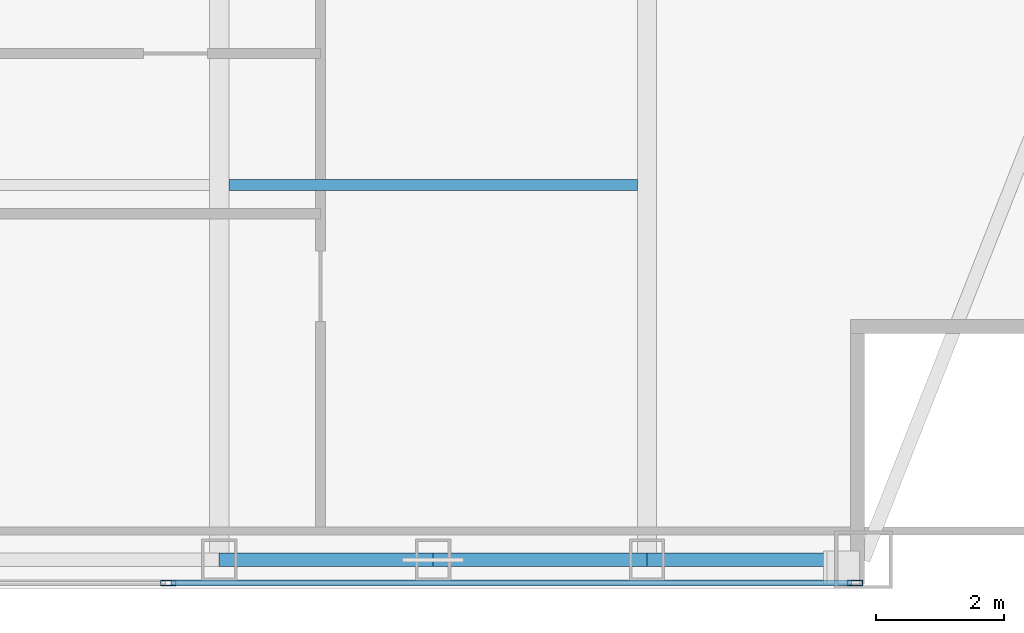
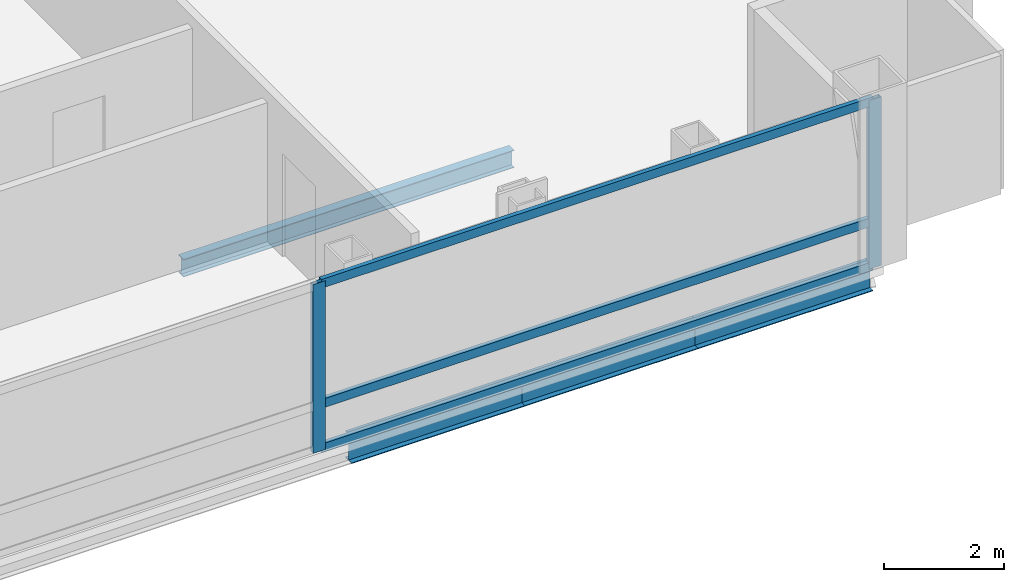
# One storey, part 13 of 27: 5 members, 4 beams, 1 element without a shape of its own.
"""IFC4 building model written with IfcOpenShell, lengths in metres."""

from ifc_helpers import new_model, si_unit, direction, frame, origin, origin_2d, place, context, subcontext, project, spatial, hollow_rectangle, i_section, extrude, material, material_profile, profile_set, type_object, element, aggregate, save


model = new_model("IFC4")

# Units and contexts
model_context = context("Model", 3, precision=1e-05, world=origin(), true_north=direction((0.0, 1.0)))
body_context = subcontext(model_context, "Body", "Model", "MODEL_VIEW")
ifc_project = project(units=[si_unit("LENGTHUNIT", "METRE"), si_unit("AREAUNIT", "SQUARE_METRE"), si_unit("VOLUMEUNIT", "CUBIC_METRE"), si_unit("PLANEANGLEUNIT", "RADIAN"), si_unit("MASSUNIT", "GRAM", prefix="KILO")], contexts=[model_context])

# Site, building, storey
site_placement = place(None, origin())
site = spatial("IfcSite", under=ifc_project, at=site_placement, CompositionType="ELEMENT")
building_placement = place(site_placement, origin())
building = spatial("IfcBuilding", under=site, at=building_placement, Name="Khoronbel Lancet Exchange", CompositionType="ELEMENT")
storey_placement = place(building_placement, frame((0.0, 0.0, 343.39990234375)))
storey = spatial("IfcBuildingStorey", under=building, at=storey_placement, Name="L89", CompositionType="ELEMENT", Elevation=343.39990234375)

# Beams
ifc_material_1 = material(Name="Steel S355", Category="steel")
ifc_material_profile_1 = material_profile(ifc_material_1, i_section(OverallWidth=0.169921875, OverallDepth=0.360107421875, WebThickness=0.008056640625, FlangeThickness=0.0126953125, at=origin_2d()), Name="IPE 360")
ifc_profile_set_1 = profile_set([ifc_material_profile_1], Name="Steel S355")
beam_type_1 = type_object("IfcBeamType", Name="BM-BJ6", PredefinedType="JOIST", material=ifc_profile_set_1)
beam_1_placement = place(storey_placement, frame((48.14990234375, 16.0, -0.33984375), z_axis=(1.0, 0.0, 0.0), x_axis=(0.0, 1.0, 0.0)))
element("IfcBeam", 1, at=beam_1_placement, inside=storey, type_object=beam_type_1, Name="Level L89 secondary composite joist J03", PredefinedType="JOIST", context=body_context, shape_type="SweptSolid", body=[
    extrude(i_section(OverallWidth=0.169921875, OverallDepth=0.360107421875, WebThickness=0.008056640625, FlangeThickness=0.0126953125, at=origin_2d()), origin(), (0.0, 0.0, 1.0), 6.375),
])
ifc_material_profile_2 = material_profile(ifc_material_1, i_section(OverallWidth=0.2099609375, OverallDepth=0.550048828125, WebThickness=0.010986328125, FlangeThickness=0.01708984375, at=origin_2d()), Name="IPE 550")
ifc_profile_set_2 = profile_set([ifc_material_profile_2], Name="Steel S355")
beam_type_2 = type_object("IfcBeamType", Name="BM-BSP3", PredefinedType="SPANDREL", material=ifc_profile_set_2)
beam_2_placement = place(storey_placement, frame((48.0, 10.14990234375, -0.434814453125), z_axis=(1.0, 0.0, 0.0), x_axis=(0.0, 1.0, 0.0)))
element("IfcBeam", 2, at=beam_2_placement, inside=storey, type_object=beam_type_2, Name="Level L89 perimeter spandrel beam SP05", PredefinedType="SPANDREL", context=body_context, shape_type="SweptSolid", body=[
    extrude(i_section(OverallWidth=0.2099609375, OverallDepth=0.550048828125, WebThickness=0.010986328125, FlangeThickness=0.01708984375, at=origin_2d()), origin(), (0.0, 0.0, 1.0), 3.33740234375),
])
beam_3_placement = place(storey_placement, frame((51.33740234375, 10.14990234375, -0.434814453125), z_axis=(1.0, 0.0, 0.0), x_axis=(0.0, 1.0, 0.0)))
element("IfcBeam", 3, at=beam_3_placement, inside=storey, type_object=beam_type_2, Name="Level L89 perimeter spandrel beam SP06", PredefinedType="SPANDREL", context=body_context, shape_type="SweptSolid", body=[
    extrude(i_section(OverallWidth=0.2099609375, OverallDepth=0.550048828125, WebThickness=0.010986328125, FlangeThickness=0.01708984375, at=origin_2d()), origin(), (0.0, 0.0, 1.0), 3.337646484375),
])
beam_4_placement = place(storey_placement, frame((54.675048828125, 10.14990234375, -0.434814453125), z_axis=(1.0, 0.0, 0.0), x_axis=(0.0, 1.0, 0.0)))
element("IfcBeam", 4, at=beam_4_placement, inside=storey, type_object=beam_type_2, Name="Level L89 perimeter spandrel beam SP07", PredefinedType="SPANDREL", context=body_context, shape_type="SweptSolid", body=[
    extrude(i_section(OverallWidth=0.2099609375, OverallDepth=0.550048828125, WebThickness=0.010986328125, FlangeThickness=0.01708984375, at=origin_2d()), origin(), (0.0, 0.0, 1.0), 3.375),
])

# Curtain wall, members
ifc_material_2 = material(Name="Low-E Solar Control Insulating Glass", Category="glass")
curtain_wall_type = type_object("IfcCurtainWallType", Name="CW-3", PredefinedType="NOTDEFINED", material=ifc_material_2)
curtain_wall_placement = place(storey_placement, origin())
curtain_wall = element("IfcCurtainWall", 5, at=curtain_wall_placement, inside=storey, type_object=curtain_wall_type, Name="Unitised curtain wall CW-L89-E26", PredefinedType="NOTDEFINED")
ifc_material_3 = material(Name="Bronze-Anodised Aluminium 6063-T6", Category="aluminium")
ifc_material_profile_3 = material_profile(ifc_material_3, hollow_rectangle(XDim=0.0849609375, YDim=0.239990234375, WallThickness=0.006103515625, at=origin_2d()), Name="ALU MULLION 85x240")
ifc_profile_set_3 = profile_set([ifc_material_profile_3], Name="Bronze-Anodised Aluminium 6063-T6")
member_type_1 = type_object("IfcMemberType", Name="MEM-CWM1", PredefinedType="MULLION", material=ifc_profile_set_3)
member_1_placement = place(storey_placement, frame((57.91748046875, 9.7900390625, 0.0), z_axis=(0.0, 0.0, 1.0), x_axis=(0.0, -1.0, 0.0)))
member_1 = element("IfcMember", 6, at=member_1_placement, type_object=member_type_1, Name="CW3 mullion 1", PredefinedType="MULLION", context=body_context, shape_type="SweptSolid", body=[
    extrude(hollow_rectangle(XDim=0.0849609375, YDim=0.239990234375, WallThickness=0.006103515625, at=origin_2d()), origin(), (0.0, 0.0, 1.0), 3.440185546875),
])
member_2_placement = place(storey_placement, frame((47.205078125, 9.7900390625, 0.0), z_axis=(0.0, 0.0, 1.0), x_axis=(0.0, -1.0, 0.0)))
member_2 = element("IfcMember", 7, at=member_2_placement, type_object=member_type_1, Name="CW3 mullion 2", PredefinedType="MULLION", context=body_context, shape_type="SweptSolid", body=[
    extrude(hollow_rectangle(XDim=0.0849609375, YDim=0.239990234375, WallThickness=0.006103515625, at=origin_2d()), origin(), (0.0, 0.0, 1.0), 3.440185546875),
])
ifc_material_profile_4 = material_profile(ifc_material_3, hollow_rectangle(XDim=0.0849609375, YDim=0.179931640625, WallThickness=0.0048828125, at=origin_2d()), Name="ALU TRANSOM 85x180")
ifc_profile_set_4 = profile_set([ifc_material_profile_4], Name="Bronze-Anodised Aluminium 6063-T6")
member_type_2 = type_object("IfcMemberType", Name="MEM-CWT1", PredefinedType="USERDEFINED", material=ifc_profile_set_4)
member_3_placement = place(storey_placement, frame((57.875, 9.7900390625, 0.04248046875), z_axis=(-1.0, 0.0, 0.0), x_axis=(0.0, -1.0, 0.0)))
member_3 = element("IfcMember", 8, at=member_3_placement, type_object=member_type_2, Name="CW3 transom 1.1", ObjectType="TRANSOM", PredefinedType="USERDEFINED", context=body_context, shape_type="SweptSolid", body=[
    extrude(hollow_rectangle(XDim=0.0849609375, YDim=0.179931640625, WallThickness=0.0048828125, at=origin_2d()), origin(), (0.0, 0.0, 1.0), 10.62744140625),
])
member_4_placement = place(storey_placement, frame((57.875, 9.7900390625, 0.9501953125), z_axis=(-1.0, 0.0, 0.0), x_axis=(0.0, -1.0, 0.0)))
member_4 = element("IfcMember", 9, at=member_4_placement, type_object=member_type_2, Name="CW3 transom 1.2", ObjectType="TRANSOM", PredefinedType="USERDEFINED", context=body_context, shape_type="SweptSolid", body=[
    extrude(hollow_rectangle(XDim=0.0849609375, YDim=0.179931640625, WallThickness=0.0048828125, at=origin_2d()), origin(), (0.0, 0.0, 1.0), 10.62744140625),
])
member_5_placement = place(storey_placement, frame((57.875, 9.7900390625, 3.397705078125), z_axis=(-1.0, 0.0, 0.0), x_axis=(0.0, -1.0, 0.0)))
member_5 = element("IfcMember", 10, at=member_5_placement, type_object=member_type_2, Name="CW3 transom 1.3", ObjectType="TRANSOM", PredefinedType="USERDEFINED", context=body_context, shape_type="SweptSolid", body=[
    extrude(hollow_rectangle(XDim=0.0849609375, YDim=0.179931640625, WallThickness=0.0048828125, at=origin_2d()), origin(), (0.0, 0.0, 1.0), 10.62744140625),
])
aggregate(curtain_wall, [member_1, member_2, member_3, member_4, member_5])

save(model, "model.ifc")
